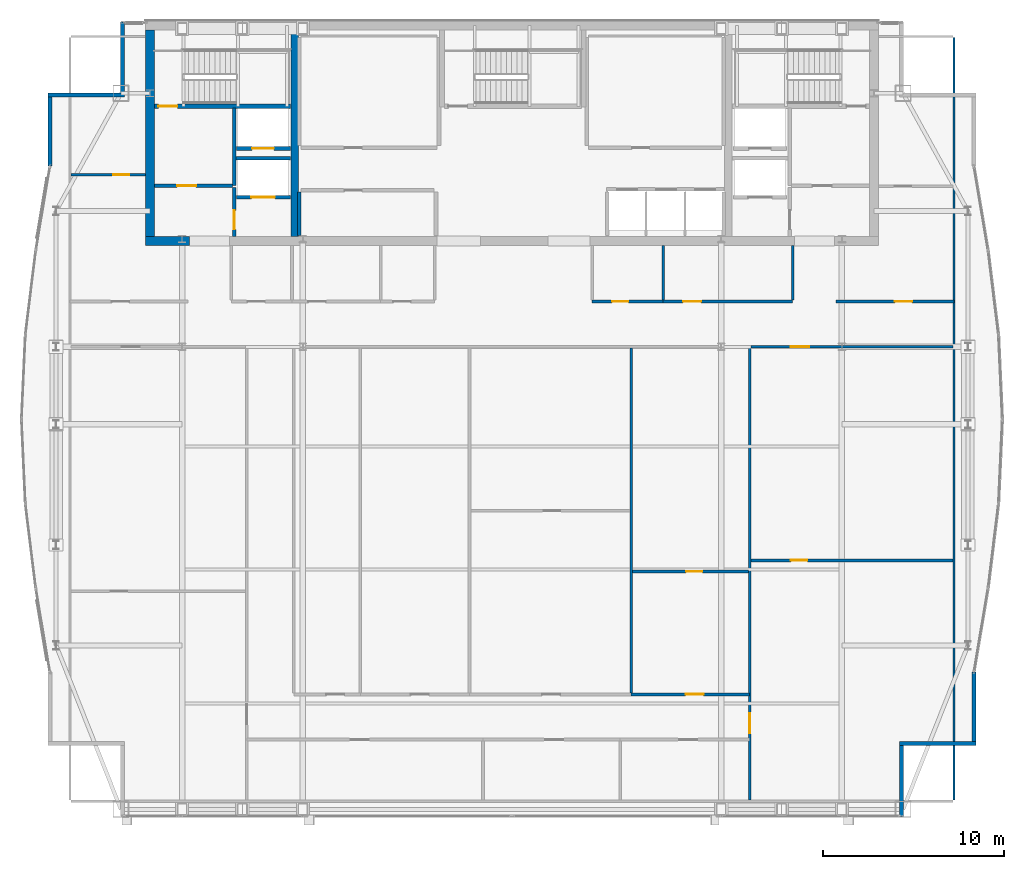
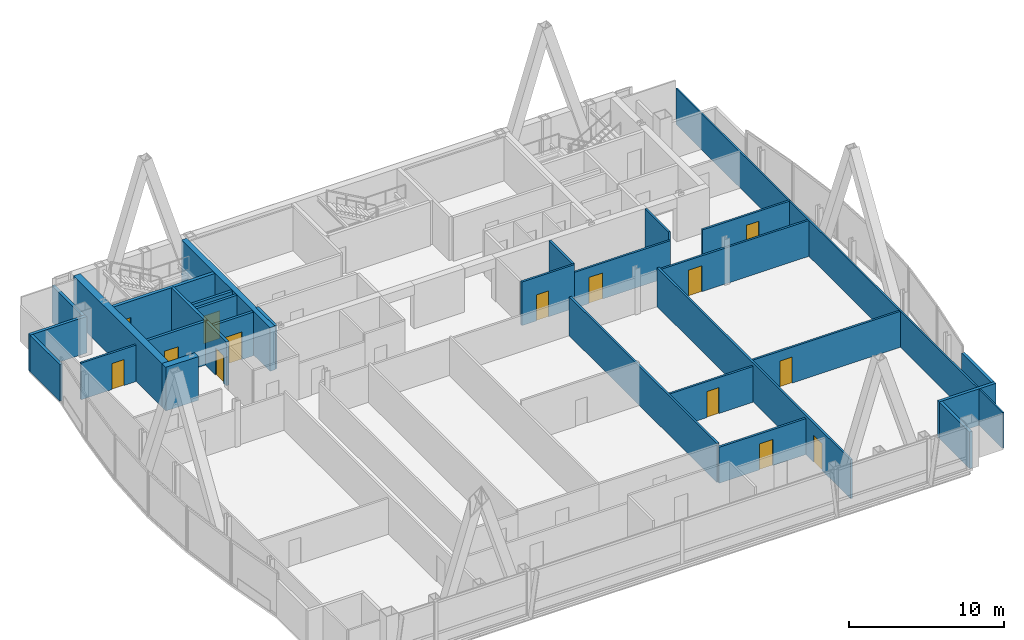
# One storey, part 25 of 29: 30 walls, 14 doors, 14 openings.
"""IFC4 building model written with IfcOpenShell, lengths in metres."""

from ifc_helpers import new_model, si_unit, direction, frame, frame_2d, origin, place, context, subcontext, project, spatial, rectangle, extrude, material, layer, layer_set, type_object, element, fill, save


model = new_model("IFC4")

# Units and contexts
model_context = context("Model", 3, precision=1e-05, world=origin(), true_north=direction((0.0, 1.0)))
body_context = subcontext(model_context, "Body", "Model", "MODEL_VIEW")
ifc_project = project(units=[si_unit("LENGTHUNIT", "METRE"), si_unit("AREAUNIT", "SQUARE_METRE"), si_unit("VOLUMEUNIT", "CUBIC_METRE"), si_unit("PLANEANGLEUNIT", "RADIAN"), si_unit("MASSUNIT", "GRAM", prefix="KILO")], contexts=[model_context])

# Site, building, storey
site_placement = place(None, origin())
site = spatial("IfcSite", under=ifc_project, at=site_placement, CompositionType="ELEMENT")
building_placement = place(site_placement, origin())
building = spatial("IfcBuilding", under=site, at=building_placement, Name="Khoronbel Lancet Exchange", CompositionType="ELEMENT")
storey_placement = place(building_placement, frame((0.0, 0.0, 336.199951171875)))
storey = spatial("IfcBuildingStorey", under=building, at=storey_placement, Name="L87", CompositionType="ELEMENT", Elevation=336.199951171875)

# Walls
ifc_material_1 = material(Name="Concrete C60/75", Category="concrete")
ifc_layer_1 = layer(ifc_material_1, 0.5, Name="Concrete C60/75")
ifc_layer_set_1 = layer_set([ifc_layer_1], Name="Concrete C60/75")
wall_type_1 = type_object("IfcWallType", Name="WL-CW4", PredefinedType="SHEAR", material=ifc_layer_set_1)
wall_1_placement = place(storey_placement, frame((16.449951171875, 41.800048828125, 0.0), z_axis=(0.0, 0.0, 1.0), x_axis=(0.0, 1.0, 0.0)))
element("IfcWall", 1, at=wall_1_placement, inside=storey, type_object=wall_type_1, Name="Level L87 rear core west shear wall", PredefinedType="SHEAR", context=body_context, shape_type="SweptSolid", body=[
    extrude(rectangle(XDim=11.39990234375, YDim=0.5, at=frame_2d((5.699951171875, 0.0))), origin(), (0.0, 0.0, 1.0), 3.43994140625),
])
wall_2_placement = place(storey_placement, frame((18.64990234375, 41.550048828125, 0.0), z_axis=(0.0, 0.0, 1.0), x_axis=(-1.0, 0.0, 0.0)))
element("IfcWall", 2, at=wall_2_placement, inside=storey, type_object=wall_type_1, Name="Level L87 rear core south shear wall pier P1", PredefinedType="SHEAR", context=body_context, shape_type="SweptSolid", body=[
    extrude(rectangle(XDim=2.449951171875, YDim=0.5, at=frame_2d((1.22509765625, 0.0))), origin(), (0.0, 0.0, 1.0), 3.43994140625),
])
ifc_material_2 = material(Name="Precast concrete C40/50", Category="concrete")
ifc_layer_2 = layer(ifc_material_2, 0.25, Name="Precast concrete C40/50")
ifc_layer_set_2 = layer_set([ifc_layer_2], Name="Precast concrete C40/50")
wall_type_2 = type_object("IfcWallType", Name="WL-EXT250", PredefinedType="SOLIDWALL", material=ifc_layer_set_2)
wall_3_placement = place(storey_placement, frame((10.93994140625, 45.672607421875, 0.0), z_axis=(0.0, 0.0, 1.0), x_axis=(0.0, 1.0, 0.0)))
element("IfcWall", 3, at=wall_3_placement, inside=storey, type_object=wall_type_2, Name="Level L87 notched-corner limestone pier 10", PredefinedType="SOLIDWALL", context=body_context, shape_type="SweptSolid", body=[
    extrude(rectangle(XDim=3.827392578125, YDim=0.219970703125, at=frame_2d((1.91357421875, 0.0))), origin(), (0.0, 0.0, 1.0), 2.880126953125),
])
wall_4_placement = place(storey_placement, frame((10.830078125, 49.610107421875, 0.0), z_axis=(0.0, 0.0, 1.0), x_axis=(1.0, 0.0, 0.0)))
element("IfcWall", 4, at=wall_4_placement, inside=storey, type_object=wall_type_2, Name="Level L87 notched-corner limestone pier 11", PredefinedType="SOLIDWALL", context=body_context, shape_type="SweptSolid", body=[
    extrude(rectangle(XDim=4.219970703125, YDim=0.219970703125, at=frame_2d((2.10986328125, 0.0))), origin(), (0.0, 0.0, 1.0), 2.880126953125),
])
wall_5_placement = place(storey_placement, frame((14.93994140625, 49.719970703125, 0.0), z_axis=(0.0, 0.0, 1.0), x_axis=(0.0, 1.0, 0.0)))
element("IfcWall", 5, at=wall_5_placement, inside=storey, type_object=wall_type_2, Name="Level L87 notched-corner limestone pier 12", PredefinedType="SOLIDWALL", context=body_context, shape_type="SweptSolid", body=[
    extrude(rectangle(XDim=3.909912109375, YDim=0.219970703125, at=frame_2d((1.955078125, 0.0))), origin(), (0.0, 0.0, 1.0), 2.880126953125),
])
wall_6_placement = place(storey_placement, frame((61.9599609375, 17.7275390625, 0.0), z_axis=(0.0, 0.0, 1.0), x_axis=(0.0, -1.0, 0.0)))
element("IfcWall", 6, at=wall_6_placement, inside=storey, type_object=wall_type_2, Name="Level L87 notched-corner limestone pier 23", PredefinedType="SOLIDWALL", context=body_context, shape_type="SweptSolid", body=[
    extrude(rectangle(XDim=3.82763671875, YDim=0.219970703125, at=frame_2d((1.913818359375, 0.0))), origin(), (0.0, 0.0, 1.0), 2.880126953125),
])
wall_7_placement = place(storey_placement, frame((62.070068359375, 13.7900390625, 0.0), z_axis=(0.0, 0.0, 1.0), x_axis=(-1.0, 0.0, 0.0)))
element("IfcWall", 7, at=wall_7_placement, inside=storey, type_object=wall_type_2, Name="Level L87 notched-corner limestone pier 24", PredefinedType="SOLIDWALL", context=body_context, shape_type="SweptSolid", body=[
    extrude(rectangle(XDim=4.219970703125, YDim=0.219970703125, at=frame_2d((2.10986328125, 0.0))), origin(), (0.0, 0.0, 1.0), 2.880126953125),
])
wall_8_placement = place(storey_placement, frame((57.9599609375, 13.679931640625, 0.0), z_axis=(0.0, 0.0, 1.0), x_axis=(0.0, -1.0, 0.0)))
element("IfcWall", 8, at=wall_8_placement, inside=storey, type_object=wall_type_2, Name="Level L87 notched-corner limestone pier 25", PredefinedType="SOLIDWALL", context=body_context, shape_type="SweptSolid", body=[
    extrude(rectangle(XDim=3.909912109375, YDim=0.219970703125, at=frame_2d((1.955078125, 0.0))), origin(), (0.0, 0.0, 1.0), 2.880126953125),
])
ifc_material_3 = material(Name="Acoustic Metal-Stud & Mineral-Wool Gypsum Partition 120 mm", Category="gypsum")
ifc_layer_3 = layer(ifc_material_3, 0.1201171875, Name="Acoustic Metal-Stud & Mineral-Wool Gypsum Partition 120 mm")
ifc_layer_set_3 = layer_set([ifc_layer_3], Name="Acoustic Metal-Stud & Mineral-Wool Gypsum Partition 120 mm")
wall_type_3 = type_object("IfcWallType", Name="WL-PRT120", PredefinedType="PARTITIONING", material=ifc_layer_set_3)
for number, where, z_axis, x_axis, name in (
    (9, (44.800048828125, 38.280029296875, 0.0), (0.0, 0.0, 1.0), (0.0, 1.0, 0.0), "Level L87 interior partition PW-NP-M"),
    (10, (51.949951171875, 38.280029296875, 0.0), (0.0, 0.0, 1.0), (0.0, 1.0, 0.0), "Level L87 interior partition PW-NP-1"),
):
    element("IfcWall", number, at=place(storey_placement, frame(where, z_axis=z_axis, x_axis=x_axis)), inside=storey, type_object=wall_type_3, Name=name, PredefinedType="PARTITIONING", context=body_context, shape_type="SweptSolid", body=[
        extrude(rectangle(XDim=3.02001953125, YDim=0.14990234375, at=frame_2d((1.510009765625, 0.0))), origin(), (0.0, 0.0, 1.0), 3.43994140625),
    ])

# Wall, opening, door
wall_9_placement = place(storey_placement, frame((12.094970703125, 45.199951171875, 0.0), z_axis=(0.0, 0.0, 1.0), x_axis=(1.0, 0.0, 0.0)))
wall_9 = element("IfcWall", 11, at=wall_9_placement, inside=storey, type_object=wall_type_3, Name="Level L87 interior partition PW-NW-H", PredefinedType="PARTITIONING", context=body_context, shape_type="SweptSolid", body=[
    extrude(rectangle(XDim=4.10498046875, YDim=0.14990234375, at=frame_2d((2.052490234375, 0.0))), origin(), (0.0, 0.0, 1.0), 2.880126953125),
])
opening_1_placement = place(wall_9_placement, frame((2.320068359375, 0.0, 0.0)))
opening_1 = element("IfcOpeningElement", 12, at=opening_1_placement, cuts=wall_9, Name="Opening D5", PredefinedType="OPENING", context=body_context, shape_type="SweptSolid", body=[
    extrude(rectangle(XDim=0.89990234375, YDim=2.050048828125, at=frame_2d((0.449951171875, 1.02490234375))), frame((0.0, 0.0849609375, 0.0), z_axis=(0.0, -1.0, 0.0), x_axis=(1.0, 0.0, 0.0)), (0.0, 0.0, 1.0), 0.169921875),
])
ifc_material_4 = material(Name="Acoustic Timber Pantry & Support Door", Category="wood")
door_type_1 = type_object("IfcDoorType", Name="DR-D5", OperationType="NOTDEFINED", PredefinedType="DOOR", material=ifc_material_4)
door_1_placement = place(opening_1_placement, origin())
door_1 = element("IfcDoor", 13, at=door_1_placement, inside=storey, type_object=door_type_1, Name="NW north room door L87-1", OperationType="SINGLE_SWING_RIGHT", OverallHeight=2.050048828125, OverallWidth=0.89990234375, PredefinedType="DOOR", context=body_context, shape_type="SweptSolid", body=[
    extrude(rectangle(XDim=0.89990234375, YDim=2.050048828125, at=frame_2d((0.449951171875, 1.02490234375))), frame((0.0, 0.02490234375, 0.0), z_axis=(0.0, -1.0, 0.0), x_axis=(1.0, 0.0, 0.0)), (0.0, 0.0, 1.0), 0.050048828125),
])
fill(opening_1, door_1)

wall_10_placement = place(storey_placement, frame((49.659912109375, 23.89990234375, 0.0), z_axis=(0.0, 0.0, 1.0), x_axis=(1.0, 0.0, 0.0)))
wall_10 = element("IfcWall", 14, at=wall_10_placement, inside=storey, type_object=wall_type_3, Name="Level L87 interior partition PW-Z4-EH", PredefinedType="PARTITIONING", context=body_context, shape_type="SweptSolid", body=[
    extrude(rectangle(XDim=11.14501953125, YDim=0.14990234375, at=frame_2d((5.572509765625, 0.0))), origin(), (0.0, 0.0, 1.0), 2.830078125),
])
opening_2_placement = place(wall_10_placement, frame((2.199951171875, 0.0, 0.0)))
opening_2 = element("IfcOpeningElement", 15, at=opening_2_placement, cuts=wall_10, Name="Opening D5", PredefinedType="OPENING", context=body_context, shape_type="SweptSolid", body=[
    extrude(rectangle(XDim=0.89990234375, YDim=2.050048828125, at=frame_2d((0.449951171875, 1.02490234375))), frame((0.0, 0.0849609375, 0.0), z_axis=(0.0, -1.0, 0.0), x_axis=(1.0, 0.0, 0.0)), (0.0, 0.0, 1.0), 0.169921875),
])
door_2_placement = place(opening_2_placement, origin())
door_2 = element("IfcDoor", 16, at=door_2_placement, inside=storey, type_object=door_type_1, Name="East lens inner door L87-1", OperationType="SINGLE_SWING_LEFT", OverallHeight=2.050048828125, OverallWidth=0.89990234375, PredefinedType="DOOR", context=body_context, shape_type="SweptSolid", body=[
    extrude(rectangle(XDim=0.89990234375, YDim=2.050048828125, at=frame_2d((0.449951171875, 1.02490234375))), frame((0.0, 0.02490234375, 0.0), z_axis=(0.0, -1.0, 0.0), x_axis=(1.0, 0.0, 0.0)), (0.0, 0.0, 1.0), 0.050048828125),
])
fill(opening_2, door_2)

wall_11_placement = place(storey_placement, frame((43.1162109375, 23.290771484375, 0.0), z_axis=(0.0, 0.0, 1.0), x_axis=(1.0, 0.0, 0.0)))
wall_11 = element("IfcWall", 17, at=wall_11_placement, inside=storey, type_object=wall_type_3, Name="Level L87 interior partition PW-Z4C-H4", PredefinedType="PARTITIONING", context=body_context, shape_type="SweptSolid", body=[
    extrude(rectangle(XDim=6.3837890625, YDim=0.14990234375, at=frame_2d((3.19189453125, 0.0))), origin(), (0.0, 0.0, 1.0), 2.830078125),
])
opening_3_placement = place(wall_11_placement, frame((2.944580078125, 0.0, 0.0)))
opening_3 = element("IfcOpeningElement", 18, at=opening_3_placement, cuts=wall_11, Name="Opening D5", PredefinedType="OPENING", context=body_context, shape_type="SweptSolid", body=[
    extrude(rectangle(XDim=0.89990234375, YDim=2.050048828125, at=frame_2d((0.449951171875, 1.02490234375))), frame((0.0, 0.0849609375, 0.0), z_axis=(0.0, -1.0, 0.0), x_axis=(1.0, 0.0, 0.0)), (0.0, 0.0, 1.0), 0.169921875),
])
door_3_placement = place(opening_3_placement, origin())
door_3 = element("IfcDoor", 19, at=door_3_placement, inside=storey, type_object=door_type_1, Name="Z4C inner door 4 L87-1", OperationType="SINGLE_SWING_LEFT", OverallHeight=2.050048828125, OverallWidth=0.89990234375, PredefinedType="DOOR", context=body_context, shape_type="SweptSolid", body=[
    extrude(rectangle(XDim=0.89990234375, YDim=2.050048828125, at=frame_2d((0.449951171875, 1.02490234375))), frame((0.0, 0.02490234375, 0.0), z_axis=(0.0, -1.0, 0.0), x_axis=(1.0, 0.0, 0.0)), (0.0, 0.0, 1.0), 0.050048828125),
])
fill(opening_3, door_3)

# Wall
wall_12_placement = place(storey_placement, frame((60.8701171875, 10.6650390625, 0.0), z_axis=(0.0, 0.0, 1.0), x_axis=(0.0, 1.0, 0.0)))
element("IfcWall", 20, at=wall_12_placement, inside=storey, type_object=wall_type_3, Name="Level L87 interior partition PW-LIN-E", PredefinedType="PARTITIONING", context=body_context, shape_type="SweptSolid", body=[
    extrude(rectangle(XDim=42.10986328125, YDim=0.1201171875, at=frame_2d((21.054931640625, 0.0))), origin(), (0.0, 0.0, 1.0), 2.830078125),
])

# Wall, opening, door
ifc_material_5 = material(Name="Fire-Rated Twin-Stud Acoustic Gypsum Partition 150 mm", Category="gypsum")
ifc_layer_4 = layer(ifc_material_5, 0.14990234375, Name="Fire-Rated Twin-Stud Acoustic Gypsum Partition 150 mm")
ifc_layer_set_4 = layer_set([ifc_layer_4], Name="Fire-Rated Twin-Stud Acoustic Gypsum Partition 150 mm")
wall_type_4 = type_object("IfcWallType", Name="WL-PRT150C", PredefinedType="PARTITIONING", material=ifc_layer_set_4)
wall_13_placement = place(storey_placement, frame((40.8798828125, 38.199951171875, 0.0), z_axis=(0.0, 0.0, 1.0), x_axis=(1.0, 0.0, 0.0)))
wall_13 = element("IfcWall", 21, at=wall_13_placement, inside=storey, type_object=wall_type_4, Name="Level L87 interior partition PW-NP-S1", PredefinedType="PARTITIONING", context=body_context, shape_type="SweptSolid", body=[
    extrude(rectangle(XDim=3.920166015625, YDim=0.14990234375, at=frame_2d((1.9599609375, 0.0))), origin(), (0.0, 0.0, 1.0), 3.43994140625),
])
opening_4_placement = place(wall_13_placement, frame((1.10009765625, 0.0, 0.0)))
opening_4 = element("IfcOpeningElement", 22, at=opening_4_placement, cuts=wall_13, Name="Opening D5", PredefinedType="OPENING", context=body_context, shape_type="SweptSolid", body=[
    extrude(rectangle(XDim=0.89990234375, YDim=2.050048828125, at=frame_2d((0.449951171875, 1.02490234375))), frame((0.0, 0.0849609375, 0.0), z_axis=(0.0, -1.0, 0.0), x_axis=(1.0, 0.0, 0.0)), (0.0, 0.0, 1.0), 0.169921875),
])
door_4_placement = place(opening_4_placement, origin())
door_4 = element("IfcDoor", 23, at=door_4_placement, inside=storey, type_object=door_type_1, Name="Floor refreshment pantry door L87-1", OperationType="SINGLE_SWING_RIGHT", OverallHeight=2.050048828125, OverallWidth=0.89990234375, PredefinedType="DOOR", context=body_context, shape_type="SweptSolid", body=[
    extrude(rectangle(XDim=0.89990234375, YDim=2.050048828125, at=frame_2d((0.449951171875, 1.02490234375))), frame((0.0, 0.02490234375, 0.0), z_axis=(0.0, -1.0, 0.0), x_axis=(1.0, 0.0, 0.0)), (0.0, 0.0, 1.0), 0.050048828125),
])
fill(opening_4, door_4)

wall_14_placement = place(storey_placement, frame((44.800048828125, 38.199951171875, 0.0), z_axis=(0.0, 0.0, 1.0), x_axis=(1.0, 0.0, 0.0)))
wall_14 = element("IfcWall", 24, at=wall_14_placement, inside=storey, type_object=wall_type_4, Name="Level L87 interior partition PW-NP-S2", PredefinedType="PARTITIONING", context=body_context, shape_type="SweptSolid", body=[
    extrude(rectangle(XDim=7.14990234375, YDim=0.14990234375, at=frame_2d((3.574951171875, 0.0))), origin(), (0.0, 0.0, 1.0), 2.830078125),
])
opening_5_placement = place(wall_14_placement, frame((1.10009765625, 0.0, 0.0)))
opening_5 = element("IfcOpeningElement", 25, at=opening_5_placement, cuts=wall_14, Name="Opening D2", PredefinedType="OPENING", context=body_context, shape_type="SweptSolid", body=[
    extrude(rectangle(XDim=1.0, YDim=2.050048828125, at=frame_2d((0.5, 1.02490234375))), frame((0.0, 0.0849609375, 0.0), z_axis=(0.0, -1.0, 0.0), x_axis=(1.0, 0.0, 0.0)), (0.0, 0.0, 1.0), 0.169921875),
])
ifc_material_6 = material(Name="Acoustic Veneered Timber & Bronze Frame Door", Category="wood")
door_type_2 = type_object("IfcDoorType", Name="DR-D2", OperationType="NOTDEFINED", PredefinedType="DOOR", material=ifc_material_6)
door_5_placement = place(opening_5_placement, origin())
door_5 = element("IfcDoor", 26, at=door_5_placement, inside=storey, type_object=door_type_2, Name="Floor store door L87-1", OperationType="SINGLE_SWING_LEFT", OverallHeight=2.050048828125, OverallWidth=1.0, PredefinedType="DOOR", context=body_context, shape_type="SweptSolid", body=[
    extrude(rectangle(XDim=1.0, YDim=2.050048828125, at=frame_2d((0.5, 1.02490234375))), frame((0.0, 0.02490234375, 0.0), z_axis=(0.0, -1.0, 0.0), x_axis=(1.0, 0.0, 0.0)), (0.0, 0.0, 1.0), 0.050048828125),
])
fill(opening_5, door_5)

wall_15_placement = place(storey_placement, frame((54.35009765625, 38.199951171875, 0.0), z_axis=(0.0, 0.0, 1.0), x_axis=(1.0, 0.0, 0.0)))
wall_15 = element("IfcWall", 27, at=wall_15_placement, inside=storey, type_object=wall_type_4, Name="Level L87 interior partition PW-NE-S", PredefinedType="PARTITIONING", context=body_context, shape_type="SweptSolid", body=[
    extrude(rectangle(XDim=6.52001953125, YDim=0.14990234375, at=frame_2d((3.260009765625, 0.0))), origin(), (0.0, 0.0, 1.0), 2.830078125),
])
opening_6_placement = place(wall_15_placement, frame((3.25, 0.0, 0.0)))
opening_6 = element("IfcOpeningElement", 28, at=opening_6_placement, cuts=wall_15, Name="Opening D1", PredefinedType="OPENING", context=body_context, shape_type="SweptSolid", body=[
    extrude(rectangle(XDim=0.949951171875, YDim=2.050048828125, at=frame_2d((0.47509765625, 1.02490234375))), frame((0.0, 0.0849609375, 0.0), z_axis=(0.0, -1.0, 0.0), x_axis=(1.0, 0.0, 0.0)), (0.0, 0.0, 1.0), 0.169921875),
])
door_type_3 = type_object("IfcDoorType", Name="DR-D1", OperationType="NOTDEFINED", PredefinedType="DOOR", material=ifc_material_6)
door_6_placement = place(opening_6_placement, origin())
door_6 = element("IfcDoor", 29, at=door_6_placement, inside=storey, type_object=door_type_3, Name="NE corner room door L87-1", OperationType="SINGLE_SWING_LEFT", OverallHeight=2.050048828125, OverallWidth=0.949951171875, PredefinedType="DOOR", context=body_context, shape_type="SweptSolid", body=[
    extrude(rectangle(XDim=0.949951171875, YDim=2.050048828125, at=frame_2d((0.47509765625, 1.02490234375))), frame((0.0, 0.02490234375, 0.0), z_axis=(0.0, -1.0, 0.0), x_axis=(1.0, 0.0, 0.0)), (0.0, 0.0, 1.0), 0.050048828125),
])
fill(opening_6, door_6)

wall_16_placement = place(storey_placement, frame((49.580078125, 10.6650390625, 0.0), z_axis=(0.0, 0.0, 1.0), x_axis=(0.0, 1.0, 0.0)))
wall_16 = element("IfcWall", 30, at=wall_16_placement, inside=storey, type_object=wall_type_4, Name="Level L87 interior partition PW-Z4-PE", PredefinedType="PARTITIONING", context=body_context, shape_type="SweptSolid", body=[
    extrude(rectangle(XDim=24.955078125, YDim=0.14990234375, at=frame_2d((12.4775390625, 0.0))), origin(), (0.0, 0.0, 1.0), 3.070068359375),
])
opening_7_placement = place(wall_16_placement, frame((3.699951171875, 0.0, 0.0)))
opening_7 = element("IfcOpeningElement", 31, at=opening_7_placement, cuts=wall_16, Name="Opening D6", PredefinedType="OPENING", context=body_context, shape_type="SweptSolid", body=[
    extrude(rectangle(XDim=1.10009765625, YDim=2.10009765625, at=frame_2d((0.550048828125, 1.050048828125))), frame((0.0, 0.0849609375, 0.0), z_axis=(0.0, -1.0, 0.0), x_axis=(1.0, 0.0, 0.0)), (0.0, 0.0, 1.0), 0.169921875),
])
ifc_material_7 = material(Name="Acoustic Bronze-Veneer Executive Suite Door", Category="wood")
door_type_4 = type_object("IfcDoorType", Name="DR-D6", OperationType="NOTDEFINED", PredefinedType="DOOR", material=ifc_material_7)
door_7_placement = place(opening_7_placement, origin())
door_7 = element("IfcDoor", 32, at=door_7_placement, inside=storey, type_object=door_type_4, Name="East lens south door L87-1", OperationType="SINGLE_SWING_LEFT", OverallHeight=2.10009765625, OverallWidth=1.10009765625, PredefinedType="DOOR", context=body_context, shape_type="SweptSolid", body=[
    extrude(rectangle(XDim=1.10009765625, YDim=2.10009765625, at=frame_2d((0.550048828125, 1.050048828125))), frame((0.0, 0.02490234375, 0.0), z_axis=(0.0, -1.0, 0.0), x_axis=(1.0, 0.0, 0.0)), (0.0, 0.0, 1.0), 0.050048828125),
])
fill(opening_7, door_7)

wall_17_placement = place(storey_placement, frame((49.659912109375, 35.699951171875, 0.0), z_axis=(0.0, 0.0, 1.0), x_axis=(1.0, 0.0, 0.0)))
wall_17 = element("IfcWall", 33, at=wall_17_placement, inside=storey, type_object=wall_type_4, Name="Level L87 interior partition PW-Z4-EN2", PredefinedType="PARTITIONING", context=body_context, shape_type="SweptSolid", body=[
    extrude(rectangle(XDim=11.14501953125, YDim=0.14990234375, at=frame_2d((5.572509765625, 0.0))), origin(), (0.0, 0.0, 1.0), 2.830078125),
])
opening_8_placement = place(wall_17_placement, frame((2.199951171875, 0.0, 0.0)))
opening_8 = element("IfcOpeningElement", 34, at=opening_8_placement, cuts=wall_17, Name="Opening D2", PredefinedType="OPENING", context=body_context, shape_type="SweptSolid", body=[
    extrude(rectangle(XDim=1.0, YDim=2.050048828125, at=frame_2d((0.5, 1.02490234375))), frame((0.0, 0.0849609375, 0.0), z_axis=(0.0, -1.0, 0.0), x_axis=(1.0, 0.0, 0.0)), (0.0, 0.0, 1.0), 0.169921875),
])
door_8_placement = place(opening_8_placement, origin())
door_8 = element("IfcDoor", 35, at=door_8_placement, inside=storey, type_object=door_type_2, Name="East lens north door L87-1", OperationType="SINGLE_SWING_RIGHT", OverallHeight=2.050048828125, OverallWidth=1.0, PredefinedType="DOOR", context=body_context, shape_type="SweptSolid", body=[
    extrude(rectangle(XDim=1.0, YDim=2.050048828125, at=frame_2d((0.5, 1.02490234375))), frame((0.0, 0.02490234375, 0.0), z_axis=(0.0, -1.0, 0.0), x_axis=(1.0, 0.0, 0.0)), (0.0, 0.0, 1.0), 0.050048828125),
])
fill(opening_8, door_8)

# Wall
wall_18_placement = place(storey_placement, frame((43.036376953125, 16.5849609375, 0.0), z_axis=(0.0, 0.0, 1.0), x_axis=(0.0, 1.0, 0.0)))
element("IfcWall", 36, at=wall_18_placement, inside=storey, type_object=wall_type_4, Name="Level L87 interior partition PW-Z4C-V3", PredefinedType="PARTITIONING", context=body_context, shape_type="SweptSolid", body=[
    extrude(rectangle(XDim=19.03515625, YDim=0.14990234375, at=frame_2d((9.517578125, 0.0))), origin(), (0.0, 0.0, 1.0), 3.070068359375),
])

# Wall, opening, door
ifc_material_8 = material(Name="Fire-Rated Twin-Stud Acoustic Gypsum Partition 160 mm", Category="gypsum")
ifc_layer_5 = layer(ifc_material_8, 0.159912109375, Name="Fire-Rated Twin-Stud Acoustic Gypsum Partition 160 mm")
ifc_layer_set_5 = layer_set([ifc_layer_5], Name="Fire-Rated Twin-Stud Acoustic Gypsum Partition 160 mm")
wall_type_5 = type_object("IfcWallType", Name="WL-PRT160C", PredefinedType="PARTITIONING", material=ifc_layer_set_5)
wall_19_placement = place(storey_placement, frame((43.036376953125, 16.5, 0.0), z_axis=(0.0, 0.0, 1.0), x_axis=(1.0, 0.0, 0.0)))
wall_19 = element("IfcWall", 37, at=wall_19_placement, inside=storey, type_object=wall_type_5, Name="Level L87 interior partition PW-Z4C-COR4", PredefinedType="PARTITIONING", context=body_context, shape_type="SweptSolid", body=[
    extrude(rectangle(XDim=6.543701171875, YDim=0.159912109375, at=frame_2d((3.27197265625, 0.0))), origin(), (0.0, 0.0, 1.0), 2.830078125),
])
opening_9_placement = place(wall_19_placement, frame((2.998291015625, 0.0, 0.0)))
opening_9 = element("IfcOpeningElement", 38, at=opening_9_placement, cuts=wall_19, Name="Opening D2", PredefinedType="OPENING", context=body_context, shape_type="SweptSolid", body=[
    extrude(rectangle(XDim=1.0, YDim=2.050048828125, at=frame_2d((0.5, 1.02490234375))), frame((0.0, 0.08984375, 0.0), z_axis=(0.0, -1.0, 0.0), x_axis=(1.0, 0.0, 0.0)), (0.0, 0.0, 1.0), 0.179931640625),
])
door_9_placement = place(opening_9_placement, origin())
door_9 = element("IfcDoor", 39, at=door_9_placement, inside=storey, type_object=door_type_2, Name="Z4C bay 4 door L87-1", OperationType="SINGLE_SWING_RIGHT", OverallHeight=2.050048828125, OverallWidth=1.0, PredefinedType="DOOR", context=body_context, shape_type="SweptSolid", body=[
    extrude(rectangle(XDim=1.0, YDim=2.050048828125, at=frame_2d((0.5, 1.02490234375))), frame((0.0, 0.02490234375, 0.0), z_axis=(0.0, -1.0, 0.0), x_axis=(1.0, 0.0, 0.0)), (0.0, 0.0, 1.0), 0.050048828125),
])
fill(opening_9, door_9)

ifc_material_9 = material(Name="Autoclaved Aerated Concrete Blockwork 200 mm", Category="masonry")
ifc_layer_6 = layer(ifc_material_9, 0.199951171875, Name="Autoclaved Aerated Concrete Blockwork 200 mm")
ifc_layer_set_6 = layer_set([ifc_layer_6], Name="Autoclaved Aerated Concrete Blockwork 200 mm")
wall_type_6 = type_object("IfcWallType", Name="WL-PRT200", PredefinedType="PARTITIONING", material=ifc_layer_set_6)
wall_20_placement = place(storey_placement, frame((24.2099609375, 43.949951171875, 0.0), z_axis=(0.0, 0.0, 1.0), x_axis=(-1.0, 0.0, 0.0)))
wall_20 = element("IfcWall", 40, at=wall_20_placement, inside=storey, type_object=wall_type_6, Name="Level L87 elevator hoistway landing front wall SVLW", PredefinedType="PARTITIONING", context=body_context, shape_type="SweptSolid", body=[
    extrude(rectangle(XDim=2.969970703125, YDim=0.199951171875, at=frame_2d((1.48486328125, 0.0))), origin(), (0.0, 0.0, 1.0), 3.43994140625),
])
opening_10_placement = place(wall_20_placement, frame((0.860107421875, 0.0, 0.0)))
opening_10 = element("IfcOpeningElement", 41, at=opening_10_placement, cuts=wall_20, Name="Opening LD-SVL1", PredefinedType="OPENING", context=body_context, shape_type="SweptSolid", body=[
    extrude(rectangle(XDim=1.300048828125, YDim=2.179931640625, at=frame_2d((0.64990234375, 1.08984375))), frame((0.0, 0.10986328125, 0.0), z_axis=(0.0, -1.0, 0.0), x_axis=(1.0, 0.0, 0.0)), (0.0, 0.0, 1.0), 0.219970703125),
])
ifc_material_10 = material(Name="Heavy-Duty Bi-Parting Goods Lift Landing Door", Category="steel")
door_type_5 = type_object("IfcDoorType", Name="DR-LD-SVL", OperationType="NOTDEFINED", PredefinedType="DOOR", material=ifc_material_10)
door_10_placement = place(opening_10_placement, origin())
door_10 = element("IfcDoor", 42, at=door_10_placement, inside=storey, type_object=door_type_5, Name="Elevator landing sliding door LD-SVL1 L87", OperationType="SLIDING_TO_LEFT", OverallHeight=2.179931640625, OverallWidth=1.300048828125, PredefinedType="DOOR", context=body_context, shape_type="SweptSolid", body=[
    extrude(rectangle(XDim=1.300048828125, YDim=2.179931640625, at=frame_2d((0.64990234375, 1.08984375))), frame((0.0, 0.02490234375, 0.0), z_axis=(0.0, -1.0, 0.0), x_axis=(1.0, 0.0, 0.0)), (0.0, 0.0, 1.0), 0.050048828125),
])
fill(opening_10, door_10)

wall_21_placement = place(storey_placement, frame((24.2099609375, 46.64990234375, 0.0), z_axis=(0.0, 0.0, 1.0), x_axis=(-1.0, 0.0, 0.0)))
wall_21 = element("IfcWall", 43, at=wall_21_placement, inside=storey, type_object=wall_type_6, Name="Level L87 elevator hoistway landing front wall FFLW", PredefinedType="PARTITIONING", context=body_context, shape_type="SweptSolid", body=[
    extrude(rectangle(XDim=2.969970703125, YDim=0.199951171875, at=frame_2d((1.48486328125, 0.0))), origin(), (0.0, 0.0, 1.0), 3.43994140625),
])
opening_11_placement = place(wall_21_placement, frame((0.909912109375, 0.0, 0.0)))
opening_11 = element("IfcOpeningElement", 44, at=opening_11_placement, cuts=wall_21, Name="Opening LD-FFL1", PredefinedType="OPENING", context=body_context, shape_type="SweptSolid", body=[
    extrude(rectangle(XDim=1.199951171875, YDim=2.179931640625, at=frame_2d((0.60009765625, 1.08984375))), frame((0.0, 0.10986328125, 0.0), z_axis=(0.0, -1.0, 0.0), x_axis=(1.0, 0.0, 0.0)), (0.0, 0.0, 1.0), 0.219970703125),
])
ifc_material_11 = material(Name="Fire-Rated Stainless Bi-Parting Firefighting Lift Door", Category="steel")
door_type_6 = type_object("IfcDoorType", Name="DR-LD-FFL", OperationType="NOTDEFINED", PredefinedType="DOOR", material=ifc_material_11)
door_11_placement = place(opening_11_placement, origin())
door_11 = element("IfcDoor", 45, at=door_11_placement, inside=storey, type_object=door_type_6, Name="Elevator landing sliding door LD-FFL1 L87", OperationType="SLIDING_TO_LEFT", OverallHeight=2.179931640625, OverallWidth=1.199951171875, PredefinedType="DOOR", context=body_context, shape_type="SweptSolid", body=[
    extrude(rectangle(XDim=1.199951171875, YDim=2.179931640625, at=frame_2d((0.60009765625, 1.08984375))), frame((0.0, 0.02490234375, 0.0), z_axis=(0.0, -1.0, 0.0), x_axis=(1.0, 0.0, 0.0)), (0.0, 0.0, 1.0), 0.050048828125),
])
fill(opening_11, door_11)

# Wall
wall_22_placement = place(storey_placement, frame((21.10009765625, 44.60009765625, 0.0), z_axis=(0.0, 0.0, 1.0), x_axis=(0.0, 1.0, 0.0)))
element("IfcWall", 46, at=wall_22_placement, inside=storey, type_object=wall_type_6, Name="Level L87 interior partition CW-FFLW-E", PredefinedType="PARTITIONING", context=body_context, shape_type="SweptSolid", body=[
    extrude(rectangle(XDim=4.2998046875, YDim=0.199951171875, at=frame_2d((2.14990234375, 0.0))), origin(), (0.0, 0.0, 1.0), 3.43994140625),
])

# Wall, opening, door
wall_23_placement = place(storey_placement, frame((16.699951171875, 44.60009765625, 0.0), z_axis=(0.0, 0.0, 1.0), x_axis=(1.0, 0.0, 0.0)))
wall_23 = element("IfcWall", 47, at=wall_23_placement, inside=storey, type_object=wall_type_6, Name="Level L87 interior partition CW-FFLW-S", PredefinedType="PARTITIONING", context=body_context, shape_type="SweptSolid", body=[
    extrude(rectangle(XDim=4.300048828125, YDim=0.199951171875, at=frame_2d((2.14990234375, 0.0))), origin(), (0.0, 0.0, 1.0), 3.43994140625),
])
opening_12_placement = place(wall_23_placement, frame((1.25, 0.0, 0.0)))
opening_12 = element("IfcOpeningElement", 48, at=opening_12_placement, cuts=wall_23, Name="Opening FD1", PredefinedType="OPENING", context=body_context, shape_type="SweptSolid", body=[
    extrude(rectangle(XDim=1.050048828125, YDim=2.14990234375, at=frame_2d((0.52490234375, 1.074951171875))), frame((0.0, 0.10986328125, 0.0), z_axis=(0.0, -1.0, 0.0), x_axis=(1.0, 0.0, 0.0)), (0.0, 0.0, 1.0), 0.219970703125),
])
ifc_material_12 = material(Name="Fire-Rated Painted Steel Door Assembly", Category="steel")
door_type_7 = type_object("IfcDoorType", Name="DR-FD1", OperationType="NOTDEFINED", PredefinedType="DOOR", material=ifc_material_12)
door_12_placement = place(opening_12_placement, origin())
door_12 = element("IfcDoor", 49, at=door_12_placement, inside=storey, type_object=door_type_7, Name="West firefighting lobby FD90S door L87-1", OperationType="SINGLE_SWING_RIGHT", OverallHeight=2.14990234375, OverallWidth=1.050048828125, PredefinedType="DOOR", context=body_context, shape_type="SweptSolid", body=[
    extrude(rectangle(XDim=1.050048828125, YDim=2.14990234375, at=frame_2d((0.52490234375, 1.074951171875))), frame((0.0, 0.02490234375, 0.0), z_axis=(0.0, -1.0, 0.0), x_axis=(1.0, 0.0, 0.0)), (0.0, 0.0, 1.0), 0.050048828125),
])
fill(opening_12, door_12)

# Wall
wall_24_placement = place(storey_placement, frame((21.199951171875, 46.1201171875, 0.0), z_axis=(0.0, 0.0, 1.0), x_axis=(1.0, 0.0, 0.0)))
element("IfcWall", 50, at=wall_24_placement, inside=storey, type_object=wall_type_6, Name="Level L87 interior partition CW-FFL1-S", PredefinedType="PARTITIONING", context=body_context, shape_type="SweptSolid", body=[
    extrude(rectangle(XDim=3.02001953125, YDim=0.199951171875, at=frame_2d((1.510009765625, 0.0))), origin(), (0.0, 0.0, 1.0), 3.43994140625),
])

# Wall, opening, door
wall_25_placement = place(storey_placement, frame((21.10009765625, 41.800048828125, 0.0), z_axis=(0.0, 0.0, 1.0), x_axis=(0.0, 1.0, 0.0)))
wall_25 = element("IfcWall", 51, at=wall_25_placement, inside=storey, type_object=wall_type_6, Name="Level L87 interior partition CW-SVLW-W", PredefinedType="PARTITIONING", context=body_context, shape_type="SweptSolid", body=[
    extrude(rectangle(XDim=2.695068359375, YDim=0.199951171875, at=frame_2d((1.34765625, 0.0))), origin(), (0.0, 0.0, 1.0), 3.43994140625),
])
opening_13_placement = place(wall_25_placement, frame((0.3798828125, 0.0, 0.0)))
opening_13 = element("IfcOpeningElement", 52, at=opening_13_placement, cuts=wall_25, Name="Opening FD1", PredefinedType="OPENING", context=body_context, shape_type="SweptSolid", body=[
    extrude(rectangle(XDim=1.050048828125, YDim=2.14990234375, at=frame_2d((0.52490234375, 1.074951171875))), frame((0.0, 0.10986328125, 0.0), z_axis=(0.0, -1.0, 0.0), x_axis=(1.0, 0.0, 0.0)), (0.0, 0.0, 1.0), 0.219970703125),
])
door_13_placement = place(opening_13_placement, origin())
door_13 = element("IfcDoor", 53, at=door_13_placement, inside=storey, type_object=door_type_7, Name="West service lift lobby door L87-1", OperationType="SINGLE_SWING_LEFT", OverallHeight=2.14990234375, OverallWidth=1.050048828125, PredefinedType="DOOR", context=body_context, shape_type="SweptSolid", body=[
    extrude(rectangle(XDim=1.050048828125, YDim=2.14990234375, at=frame_2d((0.52490234375, 1.074951171875))), frame((0.0, 0.02490234375, 0.0), z_axis=(0.0, -1.0, 0.0), x_axis=(1.0, 0.0, 0.0)), (0.0, 0.0, 1.0), 0.050048828125),
])
fill(opening_13, door_13)

# Walls
wall_26_placement = place(storey_placement, frame((24.699951171875, 41.85009765625, 0.0), z_axis=(0.0, 0.0, 1.0), x_axis=(0.0, 1.0, 0.0)))
element("IfcWall", 54, at=wall_26_placement, inside=storey, type_object=wall_type_6, Name="Level L87 interior partition CW-PM-RW", PredefinedType="PARTITIONING", context=body_context, shape_type="SweptSolid", body=[
    extrude(rectangle(XDim=2.39501953125, YDim=0.199951171875, at=frame_2d((1.197509765625, 0.0))), origin(), (0.0, 0.0, 1.0), 3.43994140625),
])
ifc_layer_7 = layer(ifc_material_1, 0.39990234375, Name="Concrete C60/75")
ifc_layer_set_7 = layer_set([ifc_layer_7], Name="Concrete C60/75")
wall_type_7 = type_object("IfcWallType", Name="WL-SW2", PredefinedType="SHEAR", material=ifc_layer_set_7)
wall_27_placement = place(storey_placement, frame((24.449951171875, 41.800048828125, 0.0), z_axis=(0.0, 0.0, 1.0), x_axis=(0.0, 1.0, 0.0)))
element("IfcWall", 55, at=wall_27_placement, inside=storey, type_object=wall_type_7, Name="Level L87 rear core internal spine shear wall IW", PredefinedType="SHEAR", context=body_context, shape_type="SweptSolid", body=[
    extrude(rectangle(XDim=11.39990234375, YDim=0.39990234375, at=frame_2d((5.699951171875, 0.0))), origin(), (0.0, 0.0, 1.0), 3.43994140625),
])

# Wall, opening, door
ifc_layer_8 = layer(ifc_material_1, 0.260009765625, Name="Concrete C60/75")
ifc_layer_set_8 = layer_set([ifc_layer_8], Name="Concrete C60/75")
wall_type_8 = type_object("IfcWallType", Name="WL-SW3", PredefinedType="SHEAR", material=ifc_layer_set_8)
wall_28_placement = place(storey_placement, frame((16.699951171875, 48.97998046875, 0.0), z_axis=(0.0, 0.0, 1.0), x_axis=(1.0, 0.0, 0.0)))
wall_28 = element("IfcWall", 56, at=wall_28_placement, inside=storey, type_object=wall_type_8, Name="Level L87 west stairwell structural south wall", PredefinedType="SHEAR", context=body_context, shape_type="SweptSolid", body=[
    extrude(rectangle(XDim=7.52001953125, YDim=0.239990234375, at=frame_2d((3.760009765625, 0.0))), origin(), (0.0, 0.0, 1.0), 3.43994140625),
])
opening_14_placement = place(wall_28_placement, frame((0.219970703125, 0.0, 0.0)))
opening_14 = element("IfcOpeningElement", 57, at=opening_14_placement, cuts=wall_28, Name="Opening SD1", PredefinedType="OPENING", context=body_context, shape_type="SweptSolid", body=[
    extrude(rectangle(XDim=1.050048828125, YDim=2.14990234375, at=frame_2d((0.52490234375, 1.074951171875))), frame((0.0, 0.1298828125, 0.0), z_axis=(0.0, -1.0, 0.0), x_axis=(1.0, 0.0, 0.0)), (0.0, 0.0, 1.0), 0.260009765625),
])
ifc_material_13 = material(Name="Fire-Rated Steel Stairwell Door Assembly", Category="steel")
door_type_8 = type_object("IfcDoorType", Name="DR-SD1", OperationType="NOTDEFINED", PredefinedType="DOOR", material=ifc_material_13)
door_14_placement = place(opening_14_placement, origin())
door_14 = element("IfcDoor", 58, at=door_14_placement, inside=storey, type_object=door_type_8, Name="Protected exit stair ST1 door L87", OperationType="SINGLE_SWING_LEFT", OverallHeight=2.14990234375, OverallWidth=1.050048828125, PredefinedType="DOOR", context=body_context, shape_type="SweptSolid", body=[
    extrude(rectangle(XDim=1.050048828125, YDim=2.14990234375, at=frame_2d((0.52490234375, 1.074951171875))), frame((0.0, 0.02490234375, 0.0), z_axis=(0.0, -1.0, 0.0), x_axis=(1.0, 0.0, 0.0)), (0.0, 0.0, 1.0), 0.050048828125),
])
fill(opening_14, door_14)

save(model, "model.ifc")
